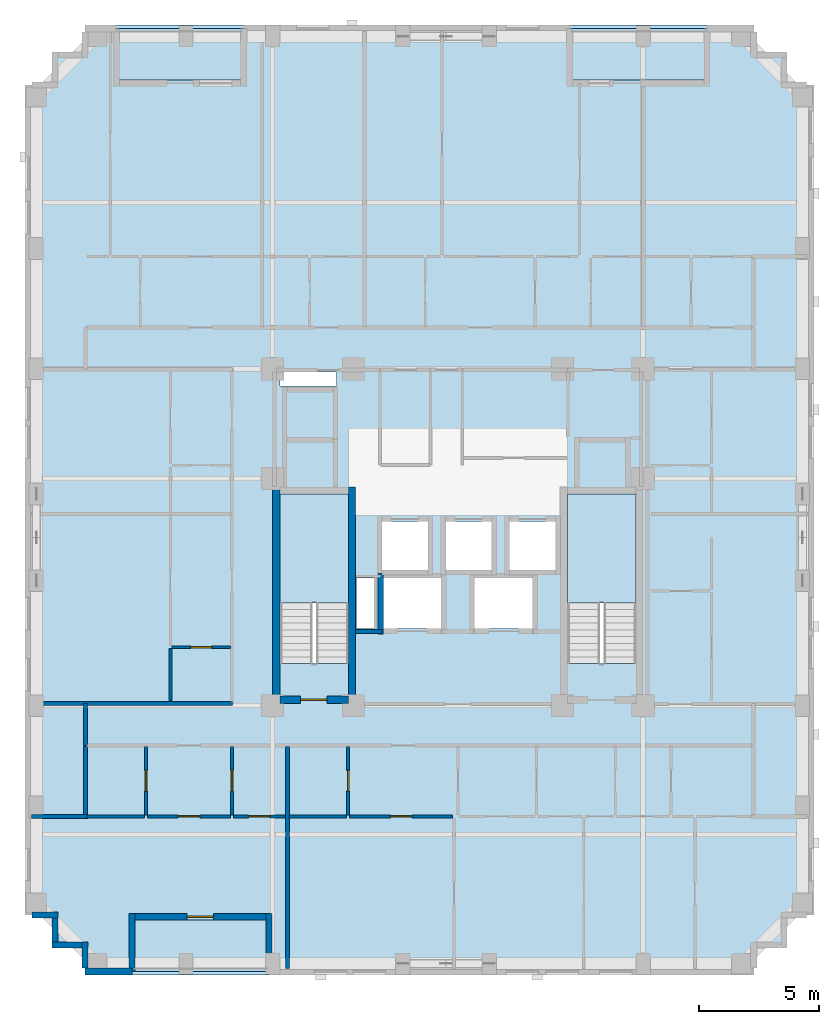
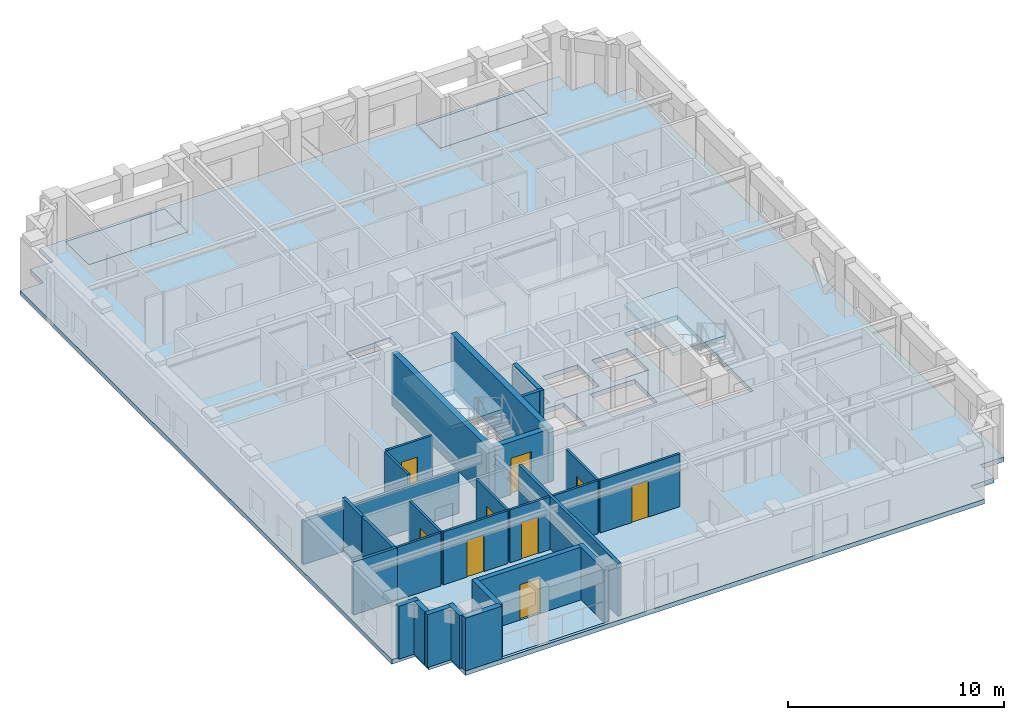
# One storey, part 2 of 11: 28 walls, 9 doors, 6 slabs, 9 openings, 2 elements without a shape of their own.
"""IFC4 building model written with IfcOpenShell, lengths in metres."""

from ifc_helpers import new_model, si_unit, derived_unit, direction, frame, frame_2d, origin, place, context, subcontext, project, spatial, polyline, rectangle, outline, extrude, material, layer, layer_set, type_object, element, fill, aggregate, save


model = new_model("IFC4")

# Units and contexts
model_context = context("Model", 3, precision=1e-05, world=origin(), true_north=direction((0.0, 1.0)))
body_context = subcontext(model_context, "Body", "Model", "MODEL_VIEW")
ifc_project = project(units=[si_unit("LENGTHUNIT", "METRE"), si_unit("AREAUNIT", "SQUARE_METRE"), si_unit("VOLUMEUNIT", "CUBIC_METRE"), si_unit("PLANEANGLEUNIT", "RADIAN"), si_unit("MASSUNIT", "GRAM", prefix="KILO"), derived_unit("THERMALTRANSMITTANCEUNIT", [(si_unit("MASSUNIT", "GRAM", prefix="KILO"), 1), (si_unit("TIMEUNIT", "SECOND"), -3), (si_unit("THERMODYNAMICTEMPERATUREUNIT", "KELVIN"), -1)])], contexts=[model_context])

# Site, building, storey
site_placement = place(None, origin())
site = spatial("IfcSite", under=ifc_project, at=site_placement, CompositionType="ELEMENT")
building_placement = place(site_placement, origin())
building = spatial("IfcBuilding", under=site, at=building_placement, Name="Korrvale Station Residences", CompositionType="ELEMENT")
storey_placement = place(building_placement, frame((0.0, 0.0, 163.39990234375)))
storey = spatial("IfcBuildingStorey", under=building, at=storey_placement, Name="L47", CompositionType="ELEMENT", Elevation=163.39990234375)

# Slabs
ifc_material_1 = material(Name="Concrete C50/60", Category="concrete")
ifc_layer_1 = layer(ifc_material_1, 0.219970703125, Name="Concrete C50/60")
ifc_layer_set_1 = layer_set([ifc_layer_1], Name="Concrete C50/60")
slab_type_1 = type_object("IfcSlabType", Name="SLB-BAL-220", PredefinedType="FLOOR", material=ifc_layer_set_1)
slab_1_placement = place(storey_placement, frame((0.0, 0.0, -0.219970703125)))
element("IfcSlab", 1, at=slab_1_placement, inside=storey, type_object=slab_type_1, Name="L47 Recessed Loggia Balcony Slab BAL-L47-S1", PredefinedType="FLOOR", context=body_context, shape_type="SweptSolid", body=[
    extrude(outline(polyline([(11.949951171875, 3.949951171875), (17.64990234375, 3.949951171875), (17.64990234375, 6.10009765625), (11.949951171875, 6.10009765625), (11.949951171875, 3.949951171875)])), origin(), (0.0, 0.0, 1.0), 0.219970703125),
])
slab_2_placement = place(storey_placement, frame((0.0, 0.0, -0.219970703125)))
element("IfcSlab", 2, at=slab_2_placement, inside=storey, type_object=slab_type_1, Name="L47 Recessed Loggia Balcony Slab BAL-L47-N1", PredefinedType="FLOOR", context=body_context, shape_type="SweptSolid", body=[
    extrude(outline(polyline([(30.14990234375, 41.0), (35.85009765625, 41.0), (35.85009765625, 43.14990234375), (30.14990234375, 43.14990234375), (30.14990234375, 41.0)])), origin(), (0.0, 0.0, 1.0), 0.219970703125),
])
slab_3_placement = place(storey_placement, frame((0.0, 0.0, -0.219970703125)))
element("IfcSlab", 3, at=slab_3_placement, inside=storey, type_object=slab_type_1, Name="L47 Recessed Loggia Balcony Slab BAL-L47-N2", PredefinedType="FLOOR", context=body_context, shape_type="SweptSolid", body=[
    extrude(outline(polyline([(11.300048828125, 41.0), (16.60009765625, 41.0), (16.60009765625, 43.14990234375), (11.300048828125, 43.14990234375), (11.300048828125, 41.0)])), origin(), (0.0, 0.0, 1.0), 0.219970703125),
])
ifc_layer_2 = layer(ifc_material_1, 0.260009765625, Name="Concrete C50/60")
ifc_layer_set_2 = layer_set([ifc_layer_2], Name="Concrete C50/60")
slab_type_2 = type_object("IfcSlabType", Name="SLB-FLR-260", PredefinedType="FLOOR", material=ifc_layer_set_2)
slab_4_placement = place(storey_placement, frame((0.0, 0.0, -0.260009765625)))
element("IfcSlab", 4, at=slab_4_placement, inside=storey, type_object=slab_type_2, Name="L47 Suspended Structural Floor Slab", PredefinedType="FLOOR", context=body_context, shape_type="SweptSolid", body=[
    extrude(outline(polyline([(10.0, 3.800048828125), (37.800048828125, 3.800048828125), (37.800048828125, 5.050048828125), (39.050048828125, 5.050048828125), (39.050048828125, 6.300048828125), (40.300048828125, 6.300048828125), (40.300048828125, 40.800048828125), (39.050048828125, 40.800048828125), (39.050048828125, 42.050048828125), (37.800048828125, 42.050048828125), (37.800048828125, 43.300048828125), (10.0, 43.300048828125), (10.0, 42.050048828125), (8.75, 42.050048828125), (8.75, 40.800048828125), (7.5, 40.800048828125), (7.5, 6.300048828125), (8.75, 6.300048828125), (8.75, 5.050048828125), (10.0, 5.050048828125), (10.0, 3.800048828125)]), holes=[polyline([(20.949951171875, 16.751953125), (20.949951171875, 23.800048828125), (18.10009765625, 23.800048828125), (18.10009765625, 16.751953125), (20.949951171875, 16.751953125)]), polyline([(32.89990234375, 16.751953125), (32.89990234375, 23.800048828125), (30.050048828125, 23.800048828125), (30.050048828125, 16.751953125), (32.89990234375, 16.751953125)]), polyline([(22.35009765625, 20.64990234375), (24.25, 20.64990234375), (24.25, 22.64990234375), (22.35009765625, 22.64990234375), (22.35009765625, 20.64990234375)]), polyline([(25.0, 20.64990234375), (26.89990234375, 20.64990234375), (26.89990234375, 22.64990234375), (25.0, 22.64990234375), (25.0, 20.64990234375)]), polyline([(27.64990234375, 20.64990234375), (29.550048828125, 20.64990234375), (29.550048828125, 22.64990234375), (27.64990234375, 22.64990234375), (27.64990234375, 20.64990234375)]), polyline([(22.39990234375, 18.199951171875), (24.800048828125, 18.199951171875), (24.800048828125, 20.300048828125), (22.39990234375, 20.300048828125), (22.39990234375, 18.199951171875)]), polyline([(26.199951171875, 18.199951171875), (28.60009765625, 18.199951171875), (28.60009765625, 20.300048828125), (26.199951171875, 20.300048828125), (26.199951171875, 18.199951171875)]), polyline([(18.10009765625, 28.280029296875), (20.449951171875, 28.280029296875), (20.449951171875, 28.8798828125), (18.10009765625, 28.8798828125), (18.10009765625, 28.280029296875)]), polyline([(21.280029296875, 18.199951171875), (22.02001953125, 18.199951171875), (22.02001953125, 20.300048828125), (21.280029296875, 20.300048828125), (21.280029296875, 18.199951171875)]), polyline([(11.949951171875, 3.949951171875), (17.64990234375, 3.949951171875), (17.64990234375, 6.10009765625), (11.949951171875, 6.10009765625), (11.949951171875, 3.949951171875)]), polyline([(30.14990234375, 41.0), (35.85009765625, 41.0), (35.85009765625, 43.14990234375), (30.14990234375, 43.14990234375), (30.14990234375, 41.0)]), polyline([(11.300048828125, 41.0), (16.60009765625, 41.0), (16.60009765625, 43.14990234375), (11.300048828125, 43.14990234375), (11.300048828125, 41.0)])]), origin(), (0.0, 0.0, 1.0), 0.260009765625),
])

# Stair, slab
stair_type = type_object("IfcStairType", Name="STR-DL-1350-20R-1625", PredefinedType="HALF_TURN_STAIR", material=ifc_material_1)
stair_1_placement = place(storey_placement, origin())
stair_1 = element("IfcStair", 5, at=stair_1_placement, inside=storey, type_object=stair_type, Name="L47 Exit Stair 1", PredefinedType="HALF_TURN_STAIR")
ifc_layer_3 = layer(ifc_material_1, 0.199951171875, Name="Concrete C50/60")
ifc_layer_set_3 = layer_set([ifc_layer_3], Name="Concrete C50/60")
slab_type_3 = type_object("IfcSlabType", Name="SLB-LND-200", PredefinedType="LANDING", material=ifc_layer_set_3)
slab_5_placement = place(storey_placement, frame((0.0, 0.0, 1.425048828125)))
slab_5 = element("IfcSlab", 6, at=slab_5_placement, type_object=slab_type_3, Name="ST-1 landing 1", PredefinedType="LANDING", context=body_context, shape_type="SweptSolid", body=[
    extrude(outline(polyline([(20.949951171875, 19.27001953125), (20.949951171875, 23.800048828125), (18.10009765625, 23.800048828125), (18.10009765625, 19.27001953125), (20.949951171875, 19.27001953125)])), origin(), (0.0, 0.0, 1.0), 0.199951171875),
])
aggregate(stair_1, [slab_5])

stair_2_placement = place(storey_placement, origin())
stair_2 = element("IfcStair", 7, at=stair_2_placement, inside=storey, type_object=stair_type, Name="L47 Exit Stair 2", PredefinedType="HALF_TURN_STAIR")
slab_6_placement = place(storey_placement, frame((0.0, 0.0, 1.425048828125)))
slab_6 = element("IfcSlab", 8, at=slab_6_placement, type_object=slab_type_3, Name="ST-2 landing 1", PredefinedType="LANDING", context=body_context, shape_type="SweptSolid", body=[
    extrude(outline(polyline([(32.89990234375, 19.27001953125), (32.89990234375, 23.800048828125), (30.050048828125, 23.800048828125), (30.050048828125, 19.27001953125), (32.89990234375, 19.27001953125)])), origin(), (0.0, 0.0, 1.0), 0.199951171875),
])
aggregate(stair_2, [slab_6])

# Walls
ifc_material_2 = material(Name="Concrete C60/75", Category="concrete")
ifc_layer_4 = layer(ifc_material_2, 0.300048828125, Name="Concrete C60/75")
ifc_layer_set_4 = layer_set([ifc_layer_4], Name="Concrete C60/75")
wall_type_1 = type_object("IfcWallType", Name="WAL-CORE-300-C60", PredefinedType="SHEAR", material=ifc_layer_set_4)
for number, where, z_axis, x_axis, name in (
    (9, (17.949951171875, 15.10009765625, 0.0), (0.0, 0.0, 1.0), (0.0, 1.0, 0.0), "L47 ST-1 Core Shear Wall West"),
    (10, (21.10009765625, 15.10009765625, 0.0), (0.0, 0.0, 1.0), (0.0, 1.0, 0.0), "L47 ST-1 Core Shear Wall East"),
):
    element("IfcWall", number, at=place(storey_placement, frame(where, z_axis=z_axis, x_axis=x_axis)), inside=storey, type_object=wall_type_1, Name=name, PredefinedType="SHEAR", context=body_context, shape_type="SweptSolid", body=[
        extrude(rectangle(XDim=9.0, YDim=0.300048828125, at=frame_2d((4.5, 0.0))), origin(), (0.0, 0.0, 1.0), 2.989990234375),
    ])

# Wall, opening, door
wall_1_placement = place(storey_placement, frame((18.10009765625, 15.25, 0.0), z_axis=(0.0, 0.0, 1.0), x_axis=(1.0, 0.0, 0.0)))
wall_1 = element("IfcWall", 11, at=wall_1_placement, inside=storey, type_object=wall_type_1, Name="L47 ST-1 Core Shear Wall South", PredefinedType="SHEAR", context=body_context, shape_type="SweptSolid", body=[
    extrude(rectangle(XDim=2.849853515625, YDim=0.300048828125, at=frame_2d((1.4248046875, 0.0))), origin(), (0.0, 0.0, 1.0), 2.989990234375),
])
opening_1_placement = place(wall_1_placement, frame((0.860107421875, 0.0, 0.0)))
opening_1 = element("IfcOpeningElement", 12, at=opening_1_placement, cuts=wall_1, Name="Opening SD-1100", PredefinedType="OPENING", context=body_context, shape_type="SweptSolid", body=[
    extrude(rectangle(XDim=1.10009765625, YDim=2.050048828125, at=frame_2d((0.550048828125, 1.02490234375))), frame((0.0, 0.16015625, 0.0), z_axis=(0.0, -1.0, 0.0), x_axis=(1.0, 0.0, 0.0)), (0.0, 0.0, 1.0), 0.320068359375),
])
ifc_material_3 = material(Name="Hollow-metal fire-rated stair door with closer", Category="steel")
door_type_1 = type_object("IfcDoorType", Name="DR-STAIR-1100", OperationType="NOTDEFINED", PredefinedType="DOOR", material=ifc_material_3)
door_1_placement = place(opening_1_placement, origin())
door_1 = element("IfcDoor", 13, at=door_1_placement, inside=storey, type_object=door_type_1, Name="L47 ST-1 Exit Stair Door", OperationType="SINGLE_SWING_LEFT", OverallHeight=2.050048828125, OverallWidth=1.10009765625, PredefinedType="DOOR", context=body_context, shape_type="SweptSolid", body=[
    extrude(rectangle(XDim=1.10009765625, YDim=2.050048828125, at=frame_2d((0.550048828125, 1.02490234375))), frame((0.0, 0.02490234375, 0.0), z_axis=(0.0, -1.0, 0.0), x_axis=(1.0, 0.0, 0.0)), (0.0, 0.0, 1.0), 0.050048828125),
])
fill(opening_1, door_1)

# Wall
ifc_material_4 = material(Name="Precast concrete C45/55", Category="concrete")
ifc_layer_5 = layer(ifc_material_4, 0.260009765625, Name="Precast concrete C45/55")
ifc_layer_set_5 = layer_set([ifc_layer_5], Name="Precast concrete C45/55")
wall_type_2 = type_object("IfcWallType", Name="WAL-EXT-LOG260", PredefinedType="SOLIDWALL", material=ifc_layer_set_5)
wall_2_placement = place(storey_placement, frame((17.64990234375, 3.9599609375, 0.0), z_axis=(0.0, 0.0, 1.0), x_axis=(0.0, 1.0, 0.0)))
element("IfcWall", 14, at=wall_2_placement, inside=storey, type_object=wall_type_2, Name="L47 Recessed Loggia Wall BAL-L47-S1-L", PredefinedType="SOLIDWALL", context=body_context, shape_type="SweptSolid", body=[
    extrude(rectangle(XDim=2.400146484375, YDim=0.260009765625, at=frame_2d((1.2001953125, 0.0))), origin(), (0.0, 0.0, 1.0), 2.989990234375),
])

# Wall, opening, door
wall_3_placement = place(storey_placement, frame((17.51611328125, 6.22998046875, 0.0), z_axis=(0.0, 0.0, 1.0), x_axis=(-1.0, 0.0, 0.0)))
wall_3 = element("IfcWall", 15, at=wall_3_placement, inside=storey, type_object=wall_type_2, Name="L47 Recessed Loggia Wall BAL-L47-S1-B", PredefinedType="SOLIDWALL", context=body_context, shape_type="SweptSolid", body=[
    extrude(rectangle(XDim=5.43212890625, YDim=0.260009765625, at=frame_2d((2.716064453125, 0.0))), origin(), (0.0, 0.0, 1.0), 2.989990234375),
])
opening_2_placement = place(wall_3_placement, frame((2.166015625, 0.0, 0.0)))
opening_2 = element("IfcOpeningElement", 16, at=opening_2_placement, cuts=wall_3, Name="Opening BD-01", PredefinedType="OPENING", context=body_context, shape_type="SweptSolid", body=[
    extrude(rectangle(XDim=1.10009765625, YDim=2.0, at=frame_2d((0.550048828125, 1.0))), frame((0.0, 0.14013671875, 0.0), z_axis=(0.0, -1.0, 0.0), x_axis=(1.0, 0.0, 0.0)), (0.0, 0.0, 1.0), 0.280029296875),
])
ifc_material_5 = material(Name="Exterior thermally broken aluminium glazed balcony door", Category="aluminium")
door_type_2 = type_object("IfcDoorType", Name="DR-EXT-BAL", OperationType="NOTDEFINED", PredefinedType="DOOR", material=ifc_material_5)
door_2_placement = place(opening_2_placement, origin())
door_2 = element("IfcDoor", 17, at=door_2_placement, inside=storey, type_object=door_type_2, Name="L47 Loggia Balcony Door BAL-L47-S1", OperationType="SINGLE_SWING_LEFT", OverallHeight=2.0, OverallWidth=1.10009765625, PredefinedType="DOOR", context=body_context, shape_type="SweptSolid", body=[
    extrude(rectangle(XDim=1.10009765625, YDim=2.0, at=frame_2d((0.550048828125, 1.0))), frame((0.0, 0.02490234375, 0.0), z_axis=(0.0, -1.0, 0.0), x_axis=(1.0, 0.0, 0.0)), (0.0, 0.0, 1.0), 0.050048828125),
])
fill(opening_2, door_2)

# Walls
wall_4_placement = place(storey_placement, frame((11.949951171875, 6.360107421875, 0.0), z_axis=(0.0, 0.0, 1.0), x_axis=(0.0, -1.0, 0.0)))
element("IfcWall", 18, at=wall_4_placement, inside=storey, type_object=wall_type_2, Name="L47 Recessed Loggia Wall BAL-L47-S1-R", PredefinedType="SOLIDWALL", context=body_context, shape_type="SweptSolid", body=[
    extrude(rectangle(XDim=2.400146484375, YDim=0.260009765625, at=frame_2d((1.2001953125, 0.0))), origin(), (0.0, 0.0, 1.0), 2.989990234375),
])
wall_5_placement = place(storey_placement, frame((10.0, 4.10205078125, 0.0), z_axis=(0.0, 0.0, 1.0), x_axis=(0.0, 1.0, 0.0)))
element("IfcWall", 19, at=wall_5_placement, inside=storey, type_object=wall_type_2, Name="L47 Serrated Corner Precast Step SW-1", PredefinedType="SOLIDWALL", context=body_context, shape_type="SweptSolid", body=[
    extrude(rectangle(XDim=1.077880859375, YDim=0.260009765625, at=frame_2d((0.5390625, 0.0))), origin(), (0.0, 0.0, 1.0), 2.989990234375),
])
wall_6_placement = place(storey_placement, frame((9.867919921875, 5.050048828125, 0.0), z_axis=(0.0, 0.0, 1.0), x_axis=(-1.0, 0.0, 0.0)))
element("IfcWall", 20, at=wall_6_placement, inside=storey, type_object=wall_type_2, Name="L47 Serrated Corner Precast Step SW-2", PredefinedType="SOLIDWALL", context=body_context, shape_type="SweptSolid", body=[
    extrude(rectangle(XDim=1.247802734375, YDim=0.260009765625, at=frame_2d((0.6240234375, 0.0))), origin(), (0.0, 0.0, 1.0), 2.989990234375),
])
wall_7_placement = place(storey_placement, frame((8.75, 5.181884765625, 0.0), z_axis=(0.0, 0.0, 1.0), x_axis=(0.0, 1.0, 0.0)))
element("IfcWall", 21, at=wall_7_placement, inside=storey, type_object=wall_type_2, Name="L47 Serrated Corner Precast Step SW-3", PredefinedType="SOLIDWALL", context=body_context, shape_type="SweptSolid", body=[
    extrude(rectangle(XDim=0.986083984375, YDim=0.260009765625, at=frame_2d((0.4931640625, 0.0))), origin(), (0.0, 0.0, 1.0), 2.989990234375),
])
wall_8_placement = place(storey_placement, frame((8.8798828125, 6.300048828125, 0.0), z_axis=(0.0, 0.0, 1.0), x_axis=(-1.0, 0.0, 0.0)))
element("IfcWall", 22, at=wall_8_placement, inside=storey, type_object=wall_type_2, Name="L47 Serrated Corner Precast Step SW-4", PredefinedType="SOLIDWALL", context=body_context, shape_type="SweptSolid", body=[
    extrude(rectangle(XDim=1.077880859375, YDim=0.260009765625, at=frame_2d((0.5390625, 0.0))), origin(), (0.0, 0.0, 1.0), 2.989990234375),
])
ifc_layer_6 = layer(ifc_material_4, 0.300048828125, Name="Precast concrete C45/55")
ifc_layer_set_6 = layer_set([ifc_layer_6], Name="Precast concrete C45/55")
wall_type_3 = type_object("IfcWallType", Name="WAL-EXT-PC300", PredefinedType="SOLIDWALL", material=ifc_layer_set_6)
wall_9_placement = place(storey_placement, frame((11.949951171875, 3.949951171875, 0.0), z_axis=(0.0, 0.0, 1.0), x_axis=(-1.0, 0.0, 0.0)))
element("IfcWall", 23, at=wall_9_placement, inside=storey, type_object=wall_type_3, Name="L47 South Exterior Precast Wall 2", PredefinedType="SOLIDWALL", context=body_context, shape_type="SweptSolid", body=[
    extrude(rectangle(XDim=1.949951171875, YDim=0.300048828125, at=frame_2d((0.97509765625, 0.0))), origin(), (0.0, 0.0, 1.0), 2.989990234375),
])

# Wall, opening, door
ifc_material_6 = material(Name="Acoustic steel-stud gypsum board partition", Category="steel")
ifc_layer_7 = layer(ifc_material_6, 0.1201171875, Name="Acoustic steel-stud gypsum board partition")
ifc_layer_set_7 = layer_set([ifc_layer_7], Name="Acoustic steel-stud gypsum board partition")
wall_type_4 = type_object("IfcWallType", Name="WAL-PART-125", PredefinedType="PARTITIONING", material=ifc_layer_set_7)
wall_10_placement = place(storey_placement, frame((12.5400390625, 10.4599609375, 0.0), z_axis=(0.0, 0.0, 1.0), x_axis=(0.0, 1.0, 0.0)))
wall_10 = element("IfcWall", 24, at=wall_10_placement, inside=storey, type_object=wall_type_4, Name="L47 Suite Partition U01-V01", PredefinedType="PARTITIONING", context=body_context, shape_type="SweptSolid", body=[
    extrude(rectangle(XDim=2.85009765625, YDim=0.1201171875, at=frame_2d((1.425048828125, 0.0))), origin(), (0.0, 0.0, 1.0), 2.989990234375),
])
opening_3_placement = place(wall_10_placement, frame((0.9951171875, 0.0, 0.0)))
opening_3 = element("IfcOpeningElement", 25, at=opening_3_placement, cuts=wall_10, Name="Opening DB-860", PredefinedType="OPENING", context=body_context, shape_type="SweptSolid", body=[
    extrude(rectangle(XDim=0.860107421875, YDim=2.050048828125, at=frame_2d((0.43017578125, 1.02490234375))), frame((0.0, 0.070068359375, 0.0), z_axis=(0.0, -1.0, 0.0), x_axis=(1.0, 0.0, 0.0)), (0.0, 0.0, 1.0), 0.14013671875),
])
ifc_material_7 = material(Name="Moisture-resistant solid-core bathroom door", Category="timber")
door_type_3 = type_object("IfcDoorType", Name="DR-BATH-860", OperationType="NOTDEFINED", PredefinedType="DOOR", material=ifc_material_7)
door_3_placement = place(opening_3_placement, origin())
door_3 = element("IfcDoor", 26, at=door_3_placement, inside=storey, type_object=door_type_3, Name="L47 Studio Apartment L47-U01 Bathroom Door", OperationType="SINGLE_SWING_RIGHT", OverallHeight=2.050048828125, OverallWidth=0.860107421875, PredefinedType="DOOR", context=body_context, shape_type="SweptSolid", body=[
    extrude(rectangle(XDim=0.860107421875, YDim=2.050048828125, at=frame_2d((0.43017578125, 1.02490234375))), frame((0.0, 0.02490234375, 0.0), z_axis=(0.0, -1.0, 0.0), x_axis=(1.0, 0.0, 0.0)), (0.0, 0.0, 1.0), 0.050048828125),
])
fill(opening_3, door_3)

# Wall
wall_11_placement = place(storey_placement, frame((10.080078125, 10.39990234375, 0.0), z_axis=(0.0, 0.0, 1.0), x_axis=(1.0, 0.0, 0.0)))
element("IfcWall", 27, at=wall_11_placement, inside=storey, type_object=wall_type_4, Name="L47 Suite Partition U01-H03", PredefinedType="PARTITIONING", context=body_context, shape_type="SweptSolid", body=[
    extrude(rectangle(XDim=2.39990234375, YDim=0.1201171875, at=frame_2d((1.199951171875, 0.0))), origin(), (0.0, 0.0, 1.0), 2.989990234375),
])

# Wall, opening, door
wall_12_placement = place(storey_placement, frame((16.110107421875, 10.4599609375, 0.0), z_axis=(0.0, 0.0, 1.0), x_axis=(0.0, 1.0, 0.0)))
wall_12 = element("IfcWall", 28, at=wall_12_placement, inside=storey, type_object=wall_type_4, Name="L47 Suite Partition U01-V12", PredefinedType="PARTITIONING", context=body_context, shape_type="SweptSolid", body=[
    extrude(rectangle(XDim=2.85009765625, YDim=0.1201171875, at=frame_2d((1.425048828125, 0.0))), origin(), (0.0, 0.0, 1.0), 2.989990234375),
])
opening_4_placement = place(wall_12_placement, frame((0.97509765625, 0.0, 0.0)))
opening_4 = element("IfcOpeningElement", 29, at=opening_4_placement, cuts=wall_12, Name="Opening DI-900", PredefinedType="OPENING", context=body_context, shape_type="SweptSolid", body=[
    extrude(rectangle(XDim=0.89990234375, YDim=2.050048828125, at=frame_2d((0.449951171875, 1.02490234375))), frame((0.0, 0.070068359375, 0.0), z_axis=(0.0, -1.0, 0.0), x_axis=(1.0, 0.0, 0.0)), (0.0, 0.0, 1.0), 0.14013671875),
])
ifc_material_8 = material(Name="Painted solid-core timber interior room door", Category="wood")
door_type_4 = type_object("IfcDoorType", Name="DR-INT-900", OperationType="NOTDEFINED", PredefinedType="DOOR", material=ifc_material_8)
door_4_placement = place(opening_4_placement, origin())
door_4 = element("IfcDoor", 30, at=door_4_placement, inside=storey, type_object=door_type_4, Name="L47 Studio Apartment L47-U01 Kitchen Door", OperationType="SINGLE_SWING_LEFT", OverallHeight=2.050048828125, OverallWidth=0.89990234375, PredefinedType="DOOR", context=body_context, shape_type="SweptSolid", body=[
    extrude(rectangle(XDim=0.89990234375, YDim=2.050048828125, at=frame_2d((0.449951171875, 1.02490234375))), frame((0.0, 0.02490234375, 0.0), z_axis=(0.0, -1.0, 0.0), x_axis=(1.0, 0.0, 0.0)), (0.0, 0.0, 1.0), 0.050048828125),
])
fill(opening_4, door_4)

wall_13_placement = place(storey_placement, frame((12.60009765625, 10.39990234375, 0.0), z_axis=(0.0, 0.0, 1.0), x_axis=(1.0, 0.0, 0.0)))
wall_13 = element("IfcWall", 31, at=wall_13_placement, inside=storey, type_object=wall_type_4, Name="L47 Suite Partition U01-H13", PredefinedType="PARTITIONING", context=body_context, shape_type="SweptSolid", body=[
    extrude(rectangle(XDim=3.449951171875, YDim=0.1201171875, at=frame_2d((1.72509765625, 0.0))), origin(), (0.0, 0.0, 1.0), 2.989990234375),
])
opening_5_placement = place(wall_13_placement, frame((1.27490234375, 0.0, 0.0)))
opening_5 = element("IfcOpeningElement", 32, at=opening_5_placement, cuts=wall_13, Name="Opening DI-900", PredefinedType="OPENING", context=body_context, shape_type="SweptSolid", body=[
    extrude(rectangle(XDim=0.89990234375, YDim=2.050048828125, at=frame_2d((0.449951171875, 1.02490234375))), frame((0.0, 0.070068359375, 0.0), z_axis=(0.0, -1.0, 0.0), x_axis=(1.0, 0.0, 0.0)), (0.0, 0.0, 1.0), 0.14013671875),
])
door_5_placement = place(opening_5_placement, origin())
door_5 = element("IfcDoor", 33, at=door_5_placement, inside=storey, type_object=door_type_4, Name="L47 Studio Apartment L47-U01 Kitchen Door", OperationType="SINGLE_SWING_RIGHT", OverallHeight=2.050048828125, OverallWidth=0.89990234375, PredefinedType="DOOR", context=body_context, shape_type="SweptSolid", body=[
    extrude(rectangle(XDim=0.89990234375, YDim=2.050048828125, at=frame_2d((0.449951171875, 1.02490234375))), frame((0.0, 0.02490234375, 0.0), z_axis=(0.0, -1.0, 0.0), x_axis=(1.0, 0.0, 0.0)), (0.0, 0.0, 1.0), 0.050048828125),
])
fill(opening_5, door_5)

wall_14_placement = place(storey_placement, frame((16.169921875, 10.39990234375, 0.0), z_axis=(0.0, 0.0, 1.0), x_axis=(1.0, 0.0, 0.0)))
wall_14 = element("IfcWall", 34, at=wall_14_placement, inside=storey, type_object=wall_type_4, Name="L47 Suite Partition U01-H23", PredefinedType="PARTITIONING", context=body_context, shape_type="SweptSolid", body=[
    extrude(rectangle(XDim=2.150146484375, YDim=0.1201171875, at=frame_2d((1.0751953125, 0.0))), origin(), (0.0, 0.0, 1.0), 2.989990234375),
])
opening_6_placement = place(wall_14_placement, frame((0.625, 0.0, 0.0)))
opening_6 = element("IfcOpeningElement", 35, at=opening_6_placement, cuts=wall_14, Name="Opening DI-900", PredefinedType="OPENING", context=body_context, shape_type="SweptSolid", body=[
    extrude(rectangle(XDim=0.89990234375, YDim=2.050048828125, at=frame_2d((0.449951171875, 1.02490234375))), frame((0.0, 0.070068359375, 0.0), z_axis=(0.0, -1.0, 0.0), x_axis=(1.0, 0.0, 0.0)), (0.0, 0.0, 1.0), 0.14013671875),
])
door_6_placement = place(opening_6_placement, origin())
door_6 = element("IfcDoor", 36, at=door_6_placement, inside=storey, type_object=door_type_4, Name="L47 Studio Apartment L47-U01 Utility and Laundry Room Door", OperationType="SINGLE_SWING_LEFT", OverallHeight=2.050048828125, OverallWidth=0.89990234375, PredefinedType="DOOR", context=body_context, shape_type="SweptSolid", body=[
    extrude(rectangle(XDim=0.89990234375, YDim=2.050048828125, at=frame_2d((0.449951171875, 1.02490234375))), frame((0.0, 0.02490234375, 0.0), z_axis=(0.0, -1.0, 0.0), x_axis=(1.0, 0.0, 0.0)), (0.0, 0.0, 1.0), 0.050048828125),
])
fill(opening_6, door_6)

wall_15_placement = place(storey_placement, frame((20.93994140625, 10.4599609375, 0.0), z_axis=(0.0, 0.0, 1.0), x_axis=(0.0, 1.0, 0.0)))
wall_15 = element("IfcWall", 37, at=wall_15_placement, inside=storey, type_object=wall_type_4, Name="L47 Suite Partition U02-V01", PredefinedType="PARTITIONING", context=body_context, shape_type="SweptSolid", body=[
    extrude(rectangle(XDim=2.85009765625, YDim=0.1201171875, at=frame_2d((1.425048828125, 0.0))), origin(), (0.0, 0.0, 1.0), 2.989990234375),
])
opening_7_placement = place(wall_15_placement, frame((0.9951171875, 0.0, 0.0)))
opening_7 = element("IfcOpeningElement", 38, at=opening_7_placement, cuts=wall_15, Name="Opening DB-860", PredefinedType="OPENING", context=body_context, shape_type="SweptSolid", body=[
    extrude(rectangle(XDim=0.860107421875, YDim=2.050048828125, at=frame_2d((0.43017578125, 1.02490234375))), frame((0.0, 0.070068359375, 0.0), z_axis=(0.0, -1.0, 0.0), x_axis=(1.0, 0.0, 0.0)), (0.0, 0.0, 1.0), 0.14013671875),
])
door_7_placement = place(opening_7_placement, origin())
door_7 = element("IfcDoor", 39, at=door_7_placement, inside=storey, type_object=door_type_3, Name="L47 Apartment 2BR L47-U02 Bathroom Door", OperationType="SINGLE_SWING_RIGHT", OverallHeight=2.050048828125, OverallWidth=0.860107421875, PredefinedType="DOOR", context=body_context, shape_type="SweptSolid", body=[
    extrude(rectangle(XDim=0.860107421875, YDim=2.050048828125, at=frame_2d((0.43017578125, 1.02490234375))), frame((0.0, 0.02490234375, 0.0), z_axis=(0.0, -1.0, 0.0), x_axis=(1.0, 0.0, 0.0)), (0.0, 0.0, 1.0), 0.050048828125),
])
fill(opening_7, door_7)

# Wall
wall_16_placement = place(storey_placement, frame((18.47998046875, 10.39990234375, 0.0), z_axis=(0.0, 0.0, 1.0), x_axis=(1.0, 0.0, 0.0)))
element("IfcWall", 40, at=wall_16_placement, inside=storey, type_object=wall_type_4, Name="L47 Suite Partition U02-H06", PredefinedType="PARTITIONING", context=body_context, shape_type="SweptSolid", body=[
    extrude(rectangle(XDim=2.39990234375, YDim=0.1201171875, at=frame_2d((1.199951171875, 0.0))), origin(), (0.0, 0.0, 1.0), 2.989990234375),
])

# Wall, opening, door
wall_17_placement = place(storey_placement, frame((21.0, 10.39990234375, 0.0), z_axis=(0.0, 0.0, 1.0), x_axis=(1.0, 0.0, 0.0)))
wall_17 = element("IfcWall", 41, at=wall_17_placement, inside=storey, type_object=wall_type_4, Name="L47 Suite Partition U02-H16", PredefinedType="PARTITIONING", context=body_context, shape_type="SweptSolid", body=[
    extrude(rectangle(XDim=4.280029296875, YDim=0.1201171875, at=frame_2d((2.14013671875, 0.0))), origin(), (0.0, 0.0, 1.0), 2.989990234375),
])
opening_8_placement = place(wall_17_placement, frame((1.68994140625, 0.0, 0.0)))
opening_8 = element("IfcOpeningElement", 42, at=opening_8_placement, cuts=wall_17, Name="Opening DI-900", PredefinedType="OPENING", context=body_context, shape_type="SweptSolid", body=[
    extrude(rectangle(XDim=0.89990234375, YDim=2.050048828125, at=frame_2d((0.449951171875, 1.02490234375))), frame((0.0, 0.070068359375, 0.0), z_axis=(0.0, -1.0, 0.0), x_axis=(1.0, 0.0, 0.0)), (0.0, 0.0, 1.0), 0.14013671875),
])
door_8_placement = place(opening_8_placement, origin())
door_8 = element("IfcDoor", 43, at=door_8_placement, inside=storey, type_object=door_type_4, Name="L47 Apartment 2BR L47-U02 Kitchen Door", OperationType="SINGLE_SWING_RIGHT", OverallHeight=2.050048828125, OverallWidth=0.89990234375, PredefinedType="DOOR", context=body_context, shape_type="SweptSolid", body=[
    extrude(rectangle(XDim=0.89990234375, YDim=2.050048828125, at=frame_2d((0.449951171875, 1.02490234375))), frame((0.0, 0.02490234375, 0.0), z_axis=(0.0, -1.0, 0.0), x_axis=(1.0, 0.0, 0.0)), (0.0, 0.0, 1.0), 0.050048828125),
])
fill(opening_8, door_8)

wall_18_placement = place(storey_placement, frame((13.610107421875, 17.428955078125, 0.0), z_axis=(0.0, 0.0, 1.0), x_axis=(1.0, 0.0, 0.0)))
wall_18 = element("IfcWall", 44, at=wall_18_placement, inside=storey, type_object=wall_type_4, Name="L47 Suite Partition U07-H01", PredefinedType="PARTITIONING", context=body_context, shape_type="SweptSolid", body=[
    extrude(rectangle(XDim=2.449951171875, YDim=0.1201171875, at=frame_2d((1.22509765625, 0.0))), origin(), (0.0, 0.0, 1.0), 2.989990234375),
])
opening_9_placement = place(wall_18_placement, frame((0.794921875, 0.0, 0.0)))
opening_9 = element("IfcOpeningElement", 45, at=opening_9_placement, cuts=wall_18, Name="Opening DB-860", PredefinedType="OPENING", context=body_context, shape_type="SweptSolid", body=[
    extrude(rectangle(XDim=0.860107421875, YDim=2.050048828125, at=frame_2d((0.43017578125, 1.02490234375))), frame((0.0, 0.070068359375, 0.0), z_axis=(0.0, -1.0, 0.0), x_axis=(1.0, 0.0, 0.0)), (0.0, 0.0, 1.0), 0.14013671875),
])
door_9_placement = place(opening_9_placement, origin())
door_9 = element("IfcDoor", 46, at=door_9_placement, inside=storey, type_object=door_type_3, Name="L47 Apartment 1BR L47-U07 Bathroom Door", OperationType="SINGLE_SWING_LEFT", OverallHeight=2.050048828125, OverallWidth=0.860107421875, PredefinedType="DOOR", context=body_context, shape_type="SweptSolid", body=[
    extrude(rectangle(XDim=0.860107421875, YDim=2.050048828125, at=frame_2d((0.43017578125, 1.02490234375))), frame((0.0, 0.02490234375, 0.0), z_axis=(0.0, -1.0, 0.0), x_axis=(1.0, 0.0, 0.0)), (0.0, 0.0, 1.0), 0.050048828125),
])
fill(opening_9, door_9)

# Walls
wall_19_placement = place(storey_placement, frame((13.550048828125, 15.2099609375, 0.0), z_axis=(0.0, 0.0, 1.0), x_axis=(0.0, 1.0, 0.0)))
element("IfcWall", 47, at=wall_19_placement, inside=storey, type_object=wall_type_4, Name="L47 Suite Partition U07-V02", PredefinedType="PARTITIONING", context=body_context, shape_type="SweptSolid", body=[
    extrude(rectangle(XDim=2.158935546875, YDim=0.1201171875, at=frame_2d((1.07958984375, 0.0))), origin(), (0.0, 0.0, 1.0), 2.989990234375),
])
ifc_material_9 = material(Name="Fire-rated twin-stud gypsum and mineral wool shaftwall assembly", Category="gypsum")
ifc_layer_8 = layer(ifc_material_9, 0.159912109375, Name="Fire-rated twin-stud gypsum and mineral wool shaftwall assembly")
ifc_layer_set_8 = layer_set([ifc_layer_8], Name="Fire-rated twin-stud gypsum and mineral wool shaftwall assembly")
wall_type_5 = type_object("IfcWallType", Name="WAL-PART-200", PredefinedType="PARTITIONING", material=ifc_layer_set_8)
wall_20_placement = place(storey_placement, frame((21.25, 18.080078125, 0.0), z_axis=(0.0, 0.0, 1.0), x_axis=(1.0, 0.0, 0.0)))
element("IfcWall", 48, at=wall_20_placement, inside=storey, type_object=wall_type_5, Name="L47 Core Partition CW-FFL-N1", PredefinedType="PARTITIONING", context=body_context, shape_type="SweptSolid", body=[
    extrude(rectangle(XDim=1.10009765625, YDim=0.159912109375, at=frame_2d((0.550048828125, 0.0))), origin(), (0.0, 0.0, 1.0), 2.989990234375),
])
wall_21_placement = place(storey_placement, frame((10.02001953125, 13.35009765625, 0.0), z_axis=(0.0, 0.0, 1.0), x_axis=(0.0, 1.0, 0.0)))
element("IfcWall", 49, at=wall_21_placement, inside=storey, type_object=wall_type_5, Name="L47 Corridor South West Cap", PredefinedType="PARTITIONING", context=body_context, shape_type="SweptSolid", body=[
    extrude(rectangle(XDim=1.739990234375, YDim=0.159912109375, at=frame_2d((0.8701171875, 0.0))), origin(), (0.0, 0.0, 1.0), 2.989990234375),
])
wall_22_placement = place(storey_placement, frame((7.780029296875, 15.090087890625, 0.0), z_axis=(0.0, 0.0, 1.0), x_axis=(1.0, 0.0, 0.0)))
element("IfcWall", 50, at=wall_22_placement, inside=storey, type_object=wall_type_5, Name="L47 West Wing South Corridor Wall", PredefinedType="PARTITIONING", context=body_context, shape_type="SweptSolid", body=[
    extrude(rectangle(XDim=8.35986328125, YDim=0.159912109375, at=frame_2d((4.179931640625, 0.0))), origin(), (0.0, 0.0, 1.0), 2.442138671875),
])
wall_23_placement = place(storey_placement, frame((7.780029296875, 10.39990234375, 0.0), z_axis=(0.0, 0.0, 1.0), x_axis=(1.0, 0.0, 0.0)))
element("IfcWall", 51, at=wall_23_placement, inside=storey, type_object=wall_type_5, Name="L47 Corner Step Wall U01-L", PredefinedType="PARTITIONING", context=body_context, shape_type="SweptSolid", body=[
    extrude(rectangle(XDim=2.340087890625, YDim=0.159912109375, at=frame_2d((1.169921875, 0.0))), origin(), (0.0, 0.0, 1.0), 2.989990234375),
])
wall_24_placement = place(storey_placement, frame((10.02001953125, 10.39990234375, 0.0), z_axis=(0.0, 0.0, 1.0), x_axis=(0.0, 1.0, 0.0)))
element("IfcWall", 52, at=wall_24_placement, inside=storey, type_object=wall_type_5, Name="L47 Corner Step Cheek U01-L", PredefinedType="PARTITIONING", context=body_context, shape_type="SweptSolid", body=[
    extrude(rectangle(XDim=2.91015625, YDim=0.159912109375, at=frame_2d((1.455078125, 0.0))), origin(), (0.0, 0.0, 1.0), 2.989990234375),
])
wall_25_placement = place(storey_placement, frame((18.419921875, 4.080078125, 0.0), z_axis=(0.0, 0.0, 1.0), x_axis=(0.0, 1.0, 0.0)))
element("IfcWall", 53, at=wall_25_placement, inside=storey, type_object=wall_type_5, Name="L47 Demising Wall U02-W", PredefinedType="PARTITIONING", context=body_context, shape_type="SweptSolid", body=[
    extrude(rectangle(XDim=9.22998046875, YDim=0.159912109375, at=frame_2d((4.614990234375, 0.0))), origin(), (0.0, 0.0, 1.0), 2.989990234375),
])
ifc_layer_9 = layer(ifc_material_2, 0.219970703125, Name="Concrete C60/75")
ifc_layer_set_9 = layer_set([ifc_layer_9], Name="Concrete C60/75")
wall_type_6 = type_object("IfcWallType", Name="WAL-SHAFT-220-C60", PredefinedType="SHEAR", material=ifc_layer_set_9)
wall_26_placement = place(storey_placement, frame((22.2900390625, 17.97998046875, 0.0), z_axis=(0.0, 0.0, 1.0), x_axis=(0.0, 1.0, 0.0)))
element("IfcWall", 54, at=wall_26_placement, inside=storey, type_object=wall_type_6, Name="L47 Elevator FFL-1 Hoistway Wall West", PredefinedType="SHEAR", context=body_context, shape_type="SweptSolid", body=[
    extrude(rectangle(XDim=2.5400390625, YDim=0.219970703125, at=frame_2d((1.27001953125, 0.0))), origin(), (0.0, 0.0, 1.0), 2.989990234375),
])

save(model, "model.ifc")
